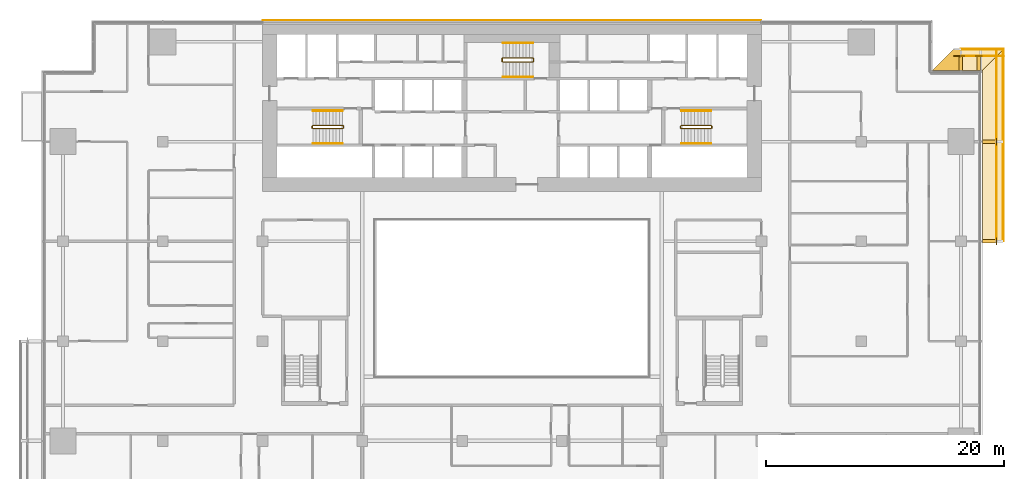
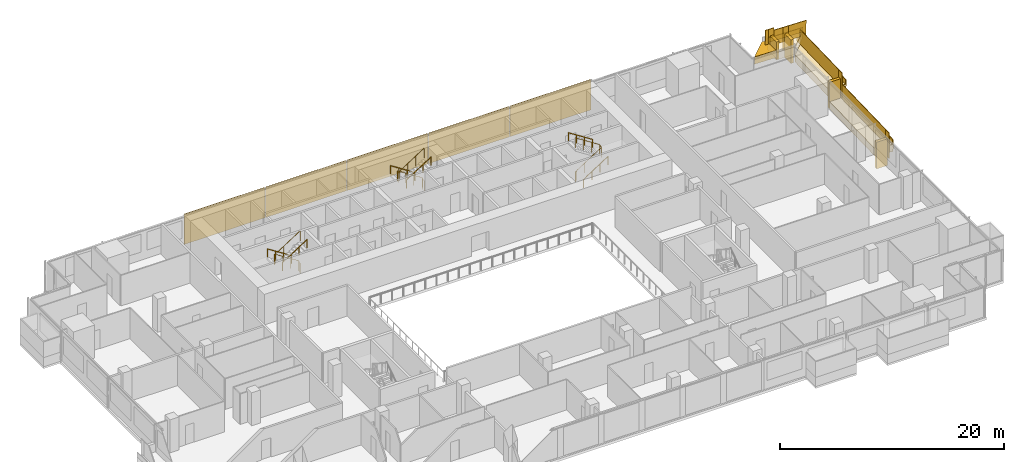
# One storey, part 27 of 29: 17 railings, 16 coverings.
"""IFC4 building model written with IfcOpenShell, lengths in metres."""

from ifc_helpers import new_model, si_unit, direction, frame, origin, origin_2d, place, context, subcontext, project, spatial, polyline, rectangle, circle, outline, extrude, material, layer, layer_set, type_object, element, save


model = new_model("IFC4")

# Units and contexts
model_context = context("Model", 3, precision=1e-05, world=origin(), true_north=direction((0.0, 1.0)))
body_context = subcontext(model_context, "Body", "Model", "MODEL_VIEW")
ifc_project = project(units=[si_unit("LENGTHUNIT", "METRE"), si_unit("AREAUNIT", "SQUARE_METRE"), si_unit("VOLUMEUNIT", "CUBIC_METRE"), si_unit("PLANEANGLEUNIT", "RADIAN"), si_unit("MASSUNIT", "GRAM", prefix="KILO")], contexts=[model_context])

# Site, building, storey
site_placement = place(None, origin())
site = spatial("IfcSite", under=ifc_project, at=site_placement, CompositionType="ELEMENT")
building_placement = place(site_placement, origin())
building = spatial("IfcBuilding", under=site, at=building_placement, Name="Saffron Gate Tower", CompositionType="ELEMENT")
storey_placement = place(building_placement, frame((0.0, 0.0, 55.199951171875)))
storey = spatial("IfcBuildingStorey", under=building, at=storey_placement, Name="L12", CompositionType="ELEMENT", Elevation=55.199951171875)

# Coverings
ifc_material_1 = material(Name="Ceramic-printed bronze insulated panel")
ifc_layer_1 = layer(ifc_material_1, 0.0400390625)
ifc_layer_set_1 = layer_set([ifc_layer_1], Name="CLD1 ceramic-printed cladding panel 40")
covering_type_1 = type_object("IfcCoveringType", Name="CLD1 ceramic-printed cladding panel 40", PredefinedType="CLADDING", material=ifc_layer_set_1)
covering_1_placement = place(storey_placement, origin())
element("IfcCovering", 1, at=covering_1_placement, inside=storey, type_object=covering_type_1, Name="CLADDING ceramic-printed panel", PredefinedType="CLADDING", context=body_context, shape_type="SweptSolid", body=[
    extrude(outline(polyline([(108.56494140625, 75.639892578125), (100.235107421875, 75.639892578125), (100.235107421875, 75.60009765625), (108.56494140625, 75.60009765625), (108.56494140625, 75.639892578125)])), origin(), (0.0, 0.0, 1.0), 3.320068359375),
])
covering_2_placement = place(storey_placement, origin())
element("IfcCovering", 2, at=covering_2_placement, inside=storey, type_object=covering_type_1, Name="CLADDING ceramic-printed panel", PredefinedType="CLADDING", context=body_context, shape_type="SweptSolid", body=[
    extrude(outline(polyline([(100.1650390625, 75.639892578125), (91.8349609375, 75.639892578125), (91.8349609375, 75.60009765625), (100.1650390625, 75.60009765625), (100.1650390625, 75.639892578125)])), origin(), (0.0, 0.0, 1.0), 3.320068359375),
])
covering_3_placement = place(storey_placement, origin())
element("IfcCovering", 3, at=covering_3_placement, inside=storey, type_object=covering_type_1, Name="CLADDING ceramic-printed panel", PredefinedType="CLADDING", context=body_context, shape_type="SweptSolid", body=[
    extrude(outline(polyline([(91.764892578125, 75.639892578125), (83.43505859375, 75.639892578125), (83.43505859375, 75.60009765625), (91.764892578125, 75.60009765625), (91.764892578125, 75.639892578125)])), origin(), (0.0, 0.0, 1.0), 3.320068359375),
])
covering_4_placement = place(storey_placement, origin())
element("IfcCovering", 4, at=covering_4_placement, inside=storey, type_object=covering_type_1, Name="CLADDING ceramic-printed panel", PredefinedType="CLADDING", context=body_context, shape_type="SweptSolid", body=[
    extrude(outline(polyline([(83.364990234375, 75.639892578125), (75.034912109375, 75.639892578125), (75.034912109375, 75.60009765625), (83.364990234375, 75.60009765625), (83.364990234375, 75.639892578125)])), origin(), (0.0, 0.0, 1.0), 3.320068359375),
])
covering_5_placement = place(storey_placement, origin())
element("IfcCovering", 5, at=covering_5_placement, inside=storey, type_object=covering_type_1, Name="CLADDING ceramic-printed panel", PredefinedType="CLADDING", context=body_context, shape_type="SweptSolid", body=[
    extrude(outline(polyline([(74.965087890625, 75.639892578125), (66.635009765625, 75.639892578125), (66.635009765625, 75.60009765625), (74.965087890625, 75.60009765625), (74.965087890625, 75.639892578125)])), origin(), (0.0, 0.0, 1.0), 3.320068359375),
])

# Railings
ifc_material_2 = material(Name="Stainless steel and laminated glass", Category="steel")
railing_type_1 = type_object("IfcRailingType", Name="CR1 Stair guard 1100", PredefinedType="GUARDRAIL", material=ifc_material_2)
railing_1_placement = place(storey_placement, frame((73.39990234375, 66.550048828125, 0.0)))
element("IfcRailing", 6, at=railing_1_placement, inside=storey, type_object=railing_type_1, Name="L12 ST-A stair guard 1", PredefinedType="GUARDRAIL", context=body_context, shape_type="SweptSolid", body=[
    extrude(circle(Radius=0.02392578125, at=origin_2d()), frame((0.0, 0.0, 1.076171875), z_axis=(0.0, 1.0, 0.0), x_axis=(-1.0, 0.0, 0.0)), (0.0, 0.0, 1.0), 0.14990234375),
    extrude(circle(Radius=0.02392578125, at=origin_2d()), frame((0.0, 0.14990234375, 1.076171875), z_axis=(-0.257669022063, 0.258932105505, 0.930892496375), x_axis=(-0.708833529934, -0.705375805398, 0.0)), (0.0, 0.0, 1.0), 0.193359375),
    extrude(circle(Radius=0.02392578125, at=origin_2d()), frame((-0.0498046875, 0.199951171875, 1.255859375), z_axis=(-0.841162588446, 0.0, 0.540782303519), x_axis=(0.0, -1.0, 0.0)), (0.0, 0.0, 1.0), 2.995849609375),
    extrude(circle(Radius=0.02392578125, at=origin_2d()), frame((-2.56982421875, 0.199951171875, 2.8759765625), z_axis=(-0.707106781187, -0.707106781187, 0.0), x_axis=(0.707106781187, -0.707106781187, 0.0)), (0.0, 0.0, 1.0), 0.07080078125),
    extrude(circle(Radius=0.02392578125, at=origin_2d()), frame((-2.619873046875, 0.14990234375, 2.8759765625), z_axis=(0.0, -1.0, 0.0), x_axis=(1.0, 0.0, 0.0)), (0.0, 0.0, 1.0), 0.14990234375),
    extrude(circle(Radius=0.02392578125, at=origin_2d()), frame((-2.619873046875, 0.0, 2.8759765625), z_axis=(0.258847668887, -0.258847668887, 0.930588936439), x_axis=(0.707106781187, 0.707106781187, 0.0)), (0.0, 0.0, 1.0), 0.193359375),
    extrude(circle(Radius=0.02392578125, at=origin_2d()), frame((-2.56982421875, -0.050048828125, 3.05615234375), z_axis=(0.841162588446, 0.0, 0.540782303519), x_axis=(0.0, 1.0, 0.0)), (0.0, 0.0, 1.0), 2.995849609375),
    extrude(circle(Radius=0.02099609375, at=origin_2d()), origin(), (0.0, 0.0, 1.0), 1.052001953125),
    extrude(circle(Radius=0.02099609375, at=origin_2d()), frame((0.0, 0.14990234375, 0.0)), (0.0, 0.0, 1.0), 1.052001953125),
    extrude(circle(Radius=0.02099609375, at=origin_2d()), frame((-0.0498046875, 0.199951171875, 0.179931640625)), (0.0, 0.0, 1.0), 1.052001953125),
    extrude(circle(Radius=0.02099609375, at=origin_2d()), frame((-0.889892578125, 0.199951171875, 0.719970703125)), (0.0, 0.0, 1.0), 1.052001953125),
    extrude(circle(Radius=0.02099609375, at=origin_2d()), frame((-1.729736328125, 0.199951171875, 1.260009765625)), (0.0, 0.0, 1.0), 1.052001953125),
    extrude(circle(Radius=0.02099609375, at=origin_2d()), frame((-2.56982421875, 0.199951171875, 1.800048828125)), (0.0, 0.0, 1.0), 1.052001953125),
    extrude(circle(Radius=0.02099609375, at=origin_2d()), frame((-2.619873046875, 0.14990234375, 1.800048828125)), (0.0, 0.0, 1.0), 1.052001953125),
    extrude(circle(Radius=0.02099609375, at=origin_2d()), frame((-2.619873046875, 0.0, 1.800048828125)), (0.0, 0.0, 1.0), 1.052001953125),
    extrude(circle(Radius=0.02099609375, at=origin_2d()), frame((-2.56982421875, -0.050048828125, 1.97998046875)), (0.0, 0.0, 1.0), 1.052001953125),
    extrude(circle(Radius=0.02099609375, at=origin_2d()), frame((-1.729736328125, -0.050048828125, 2.52001953125)), (0.0, 0.0, 1.0), 1.052001953125),
    extrude(circle(Radius=0.02099609375, at=origin_2d()), frame((-0.889892578125, -0.050048828125, 3.06005859375)), (0.0, 0.0, 1.0), 1.052001953125),
    extrude(circle(Radius=0.02099609375, at=origin_2d()), frame((-0.0498046875, -0.050048828125, 3.60009765625)), (0.0, 0.0, 1.0), 1.052001953125),
])
railing_2_placement = place(storey_placement, frame((101.800048828125, 66.699951171875, 0.0)))
element("IfcRailing", 7, at=railing_2_placement, inside=storey, type_object=railing_type_1, Name="L12 ST-B stair guard 1", PredefinedType="GUARDRAIL", context=body_context, shape_type="SweptSolid", body=[
    extrude(circle(Radius=0.02392578125, at=origin_2d()), frame((0.0, 0.0, 1.076171875), z_axis=(0.0, -1.0, 0.0), x_axis=(1.0, 0.0, 0.0)), (0.0, 0.0, 1.0), 0.14990234375),
    extrude(circle(Radius=0.02392578125, at=origin_2d()), frame((0.0, -0.14990234375, 1.076171875), z_axis=(0.258847668887, -0.258847668887, 0.930588936439), x_axis=(0.707106781187, 0.707106781187, 0.0)), (0.0, 0.0, 1.0), 0.193359375),
    extrude(circle(Radius=0.02392578125, at=origin_2d()), frame((0.050048828125, -0.199951171875, 1.255859375), z_axis=(0.841162588446, 0.0, 0.540782303519), x_axis=(0.0, 1.0, 0.0)), (0.0, 0.0, 1.0), 2.995849609375),
    extrude(circle(Radius=0.02392578125, at=origin_2d()), frame((2.570068359375, -0.199951171875, 2.8759765625), z_axis=(0.705375805398, 0.708833529934, 0.0), x_axis=(-0.708833529934, 0.705375805398, 0.0)), (0.0, 0.0, 1.0), 0.070556640625),
    extrude(circle(Radius=0.02392578125, at=origin_2d()), frame((2.619873046875, -0.14990234375, 2.8759765625), z_axis=(0.0, 1.0, 0.0), x_axis=(-1.0, 0.0, 0.0)), (0.0, 0.0, 1.0), 0.14990234375),
    extrude(circle(Radius=0.02392578125, at=origin_2d()), frame((2.619873046875, 0.0, 2.8759765625), z_axis=(-0.257669022063, 0.258932105505, 0.930892496375), x_axis=(-0.708833529934, -0.705375805398, 0.0)), (0.0, 0.0, 1.0), 0.193359375),
    extrude(circle(Radius=0.02392578125, at=origin_2d()), frame((2.570068359375, 0.050048828125, 3.05615234375), z_axis=(-0.841162588446, 0.0, 0.540782303519), x_axis=(0.0, -1.0, 0.0)), (0.0, 0.0, 1.0), 2.995849609375),
    extrude(circle(Radius=0.02099609375, at=origin_2d()), origin(), (0.0, 0.0, 1.0), 1.052001953125),
    extrude(circle(Radius=0.02099609375, at=origin_2d()), frame((0.0, -0.14990234375, 0.0)), (0.0, 0.0, 1.0), 1.052001953125),
    extrude(circle(Radius=0.02099609375, at=origin_2d()), frame((0.050048828125, -0.199951171875, 0.179931640625)), (0.0, 0.0, 1.0), 1.052001953125),
    extrude(circle(Radius=0.02099609375, at=origin_2d()), frame((0.89013671875, -0.199951171875, 0.719970703125)), (0.0, 0.0, 1.0), 1.052001953125),
    extrude(circle(Radius=0.02099609375, at=origin_2d()), frame((1.72998046875, -0.199951171875, 1.260009765625)), (0.0, 0.0, 1.0), 1.052001953125),
    extrude(circle(Radius=0.02099609375, at=origin_2d()), frame((2.570068359375, -0.199951171875, 1.800048828125)), (0.0, 0.0, 1.0), 1.052001953125),
    extrude(circle(Radius=0.02099609375, at=origin_2d()), frame((2.619873046875, -0.14990234375, 1.800048828125)), (0.0, 0.0, 1.0), 1.052001953125),
    extrude(circle(Radius=0.02099609375, at=origin_2d()), frame((2.619873046875, 0.0, 1.800048828125)), (0.0, 0.0, 1.0), 1.052001953125),
    extrude(circle(Radius=0.02099609375, at=origin_2d()), frame((2.570068359375, 0.050048828125, 1.97998046875)), (0.0, 0.0, 1.0), 1.052001953125),
    extrude(circle(Radius=0.02099609375, at=origin_2d()), frame((1.72998046875, 0.050048828125, 2.52001953125)), (0.0, 0.0, 1.0), 1.052001953125),
    extrude(circle(Radius=0.02099609375, at=origin_2d()), frame((0.89013671875, 0.050048828125, 3.06005859375)), (0.0, 0.0, 1.0), 1.052001953125),
    extrude(circle(Radius=0.02099609375, at=origin_2d()), frame((0.050048828125, 0.050048828125, 3.60009765625)), (0.0, 0.0, 1.0), 1.052001953125),
])
railing_3_placement = place(storey_placement, frame((89.39990234375, 72.14990234375, 0.0)))
element("IfcRailing", 8, at=railing_3_placement, inside=storey, type_object=railing_type_1, Name="L12 ST-C stair guard 1", PredefinedType="GUARDRAIL", context=body_context, shape_type="SweptSolid", body=[
    extrude(circle(Radius=0.02392578125, at=origin_2d()), frame((0.0, 0.0, 1.076171875), z_axis=(0.0, 1.0, 0.0), x_axis=(-1.0, 0.0, 0.0)), (0.0, 0.0, 1.0), 0.25),
    extrude(circle(Radius=0.02392578125, at=origin_2d()), frame((0.0, 0.25, 1.076171875), z_axis=(-0.257669022063, 0.258932105505, 0.930892496375), x_axis=(-0.708833529934, -0.705375805398, 0.0)), (0.0, 0.0, 1.0), 0.193359375),
    extrude(circle(Radius=0.02392578125, at=origin_2d()), frame((-0.0498046875, 0.300048828125, 1.255859375), z_axis=(-0.841162588446, 0.0, 0.540782303519), x_axis=(0.0, -1.0, 0.0)), (0.0, 0.0, 1.0), 2.995849609375),
    extrude(circle(Radius=0.02392578125, at=origin_2d()), frame((-2.56982421875, 0.300048828125, 2.8759765625), z_axis=(-0.707106781187, -0.707106781187, 0.0), x_axis=(0.707106781187, -0.707106781187, 0.0)), (0.0, 0.0, 1.0), 0.07080078125),
    extrude(circle(Radius=0.02392578125, at=origin_2d()), frame((-2.619873046875, 0.25, 2.8759765625), z_axis=(0.0, -1.0, 0.0), x_axis=(1.0, 0.0, 0.0)), (0.0, 0.0, 1.0), 0.25),
    extrude(circle(Radius=0.02392578125, at=origin_2d()), frame((-2.619873046875, 0.0, 2.8759765625), z_axis=(0.258932105505, -0.257669022063, 0.930892496375), x_axis=(0.705375805398, 0.708833529934, 0.0)), (0.0, 0.0, 1.0), 0.193359375),
    extrude(circle(Radius=0.02392578125, at=origin_2d()), frame((-2.56982421875, -0.0498046875, 3.05615234375), z_axis=(0.841162588446, 0.0, 0.540782303519), x_axis=(0.0, 1.0, 0.0)), (0.0, 0.0, 1.0), 2.995849609375),
    extrude(circle(Radius=0.02099609375, at=origin_2d()), origin(), (0.0, 0.0, 1.0), 1.052001953125),
    extrude(circle(Radius=0.02099609375, at=origin_2d()), frame((0.0, 0.25, 0.0)), (0.0, 0.0, 1.0), 1.052001953125),
    extrude(circle(Radius=0.02099609375, at=origin_2d()), frame((-0.0498046875, 0.300048828125, 0.179931640625)), (0.0, 0.0, 1.0), 1.052001953125),
    extrude(circle(Radius=0.02099609375, at=origin_2d()), frame((-0.889892578125, 0.300048828125, 0.719970703125)), (0.0, 0.0, 1.0), 1.052001953125),
    extrude(circle(Radius=0.02099609375, at=origin_2d()), frame((-1.729736328125, 0.300048828125, 1.260009765625)), (0.0, 0.0, 1.0), 1.052001953125),
    extrude(circle(Radius=0.02099609375, at=origin_2d()), frame((-2.56982421875, 0.300048828125, 1.800048828125)), (0.0, 0.0, 1.0), 1.052001953125),
    extrude(circle(Radius=0.02099609375, at=origin_2d()), frame((-2.619873046875, 0.25, 1.800048828125)), (0.0, 0.0, 1.0), 1.052001953125),
    extrude(circle(Radius=0.02099609375, at=origin_2d()), frame((-2.619873046875, 0.0, 1.800048828125)), (0.0, 0.0, 1.0), 1.052001953125),
    extrude(circle(Radius=0.02099609375, at=origin_2d()), frame((-2.56982421875, -0.0498046875, 1.97998046875)), (0.0, 0.0, 1.0), 1.052001953125),
    extrude(circle(Radius=0.02099609375, at=origin_2d()), frame((-1.729736328125, -0.0498046875, 2.52001953125)), (0.0, 0.0, 1.0), 1.052001953125),
    extrude(circle(Radius=0.02099609375, at=origin_2d()), frame((-0.889892578125, -0.0498046875, 3.06005859375)), (0.0, 0.0, 1.0), 1.052001953125),
    extrude(circle(Radius=0.02099609375, at=origin_2d()), frame((-0.0498046875, -0.0498046875, 3.60009765625)), (0.0, 0.0, 1.0), 1.052001953125),
])
ifc_material_3 = material(Name="Stainless steel", Category="steel")
railing_type_2 = type_object("IfcRailingType", Name="CR2 Stair handrail 900", PredefinedType="HANDRAIL", material=ifc_material_3)
railing_4_placement = place(storey_placement, frame((73.35009765625, 68.0, 0.179931640625)))
element("IfcRailing", 9, at=railing_4_placement, inside=storey, type_object=railing_type_2, Name="L12 ST-A stair handrail 1", PredefinedType="HANDRAIL", context=body_context, shape_type="SweptSolid", body=[
    extrude(circle(Radius=0.02392578125, at=origin_2d()), frame((0.0, 0.0, 0.8759765625), z_axis=(-0.841162588446, 0.0, 0.540782303519), x_axis=(0.0, -1.0, 0.0)), (0.0, 0.0, 1.0), 2.995849609375),
    extrude(circle(Radius=0.02099609375, at=origin_2d()), origin(), (0.0, 0.0, 1.0), 0.851806640625),
    extrude(circle(Radius=0.02099609375, at=origin_2d()), frame((-0.840087890625, 0.0, 0.5400390625)), (0.0, 0.0, 1.0), 0.851806640625),
    extrude(circle(Radius=0.02099609375, at=origin_2d()), frame((-1.679931640625, 0.0, 1.080078125)), (0.0, 0.0, 1.0), 0.851806640625),
    extrude(circle(Radius=0.02099609375, at=origin_2d()), frame((-2.52001953125, 0.0, 1.6201171875)), (0.0, 0.0, 1.0), 0.851806640625),
])
for number, where, name in (
    (10, (70.830078125, 65.25, 1.97998046875), "L12 ST-A stair handrail 2"),
    (11, (101.85009765625, 65.25, 0.179931640625), "L12 ST-B stair handrail 1"),
):
    element("IfcRailing", number, at=place(storey_placement, frame(where)), inside=storey, type_object=railing_type_2, Name=name, PredefinedType="HANDRAIL", context=body_context, shape_type="SweptSolid", body=[
        extrude(circle(Radius=0.02392578125, at=origin_2d()), frame((0.0, 0.0, 0.8759765625), z_axis=(0.841162588446, 0.0, 0.540782303519), x_axis=(0.0, 1.0, 0.0)), (0.0, 0.0, 1.0), 2.995849609375),
        extrude(circle(Radius=0.02099609375, at=origin_2d()), origin(), (0.0, 0.0, 1.0), 0.851806640625),
        extrude(circle(Radius=0.02099609375, at=origin_2d()), frame((0.840087890625, 0.0, 0.5400390625)), (0.0, 0.0, 1.0), 0.851806640625),
        extrude(circle(Radius=0.02099609375, at=origin_2d()), frame((1.679931640625, 0.0, 1.080078125)), (0.0, 0.0, 1.0), 0.851806640625),
        extrude(circle(Radius=0.02099609375, at=origin_2d()), frame((2.52001953125, 0.0, 1.6201171875)), (0.0, 0.0, 1.0), 0.851806640625),
    ])
for number, where, name in (
    (12, (104.3701171875, 68.0, 1.97998046875), "L12 ST-B stair handrail 2"),
    (13, (89.35009765625, 73.699951171875, 0.179931640625), "L12 ST-C stair handrail 1"),
):
    element("IfcRailing", number, at=place(storey_placement, frame(where)), inside=storey, type_object=railing_type_2, Name=name, PredefinedType="HANDRAIL", context=body_context, shape_type="SweptSolid", body=[
        extrude(circle(Radius=0.02392578125, at=origin_2d()), frame((0.0, 0.0, 0.8759765625), z_axis=(-0.841162588446, 0.0, 0.540782303519), x_axis=(0.0, -1.0, 0.0)), (0.0, 0.0, 1.0), 2.995849609375),
        extrude(circle(Radius=0.02099609375, at=origin_2d()), origin(), (0.0, 0.0, 1.0), 0.851806640625),
        extrude(circle(Radius=0.02099609375, at=origin_2d()), frame((-0.840087890625, 0.0, 0.5400390625)), (0.0, 0.0, 1.0), 0.851806640625),
        extrude(circle(Radius=0.02099609375, at=origin_2d()), frame((-1.679931640625, 0.0, 1.080078125)), (0.0, 0.0, 1.0), 0.851806640625),
        extrude(circle(Radius=0.02099609375, at=origin_2d()), frame((-2.52001953125, 0.0, 1.6201171875)), (0.0, 0.0, 1.0), 0.851806640625),
    ])
railing_5_placement = place(storey_placement, frame((86.830078125, 70.85009765625, 1.97998046875)))
element("IfcRailing", 14, at=railing_5_placement, inside=storey, type_object=railing_type_2, Name="L12 ST-C stair handrail 2", PredefinedType="HANDRAIL", context=body_context, shape_type="SweptSolid", body=[
    extrude(circle(Radius=0.02392578125, at=origin_2d()), frame((0.0, 0.0, 0.8759765625), z_axis=(0.841162588446, 0.0, 0.540782303519), x_axis=(0.0, 1.0, 0.0)), (0.0, 0.0, 1.0), 2.995849609375),
    extrude(circle(Radius=0.02099609375, at=origin_2d()), origin(), (0.0, 0.0, 1.0), 0.851806640625),
    extrude(circle(Radius=0.02099609375, at=origin_2d()), frame((0.840087890625, 0.0, 0.5400390625)), (0.0, 0.0, 1.0), 0.851806640625),
    extrude(circle(Radius=0.02099609375, at=origin_2d()), frame((1.679931640625, 0.0, 1.080078125)), (0.0, 0.0, 1.0), 0.851806640625),
    extrude(circle(Radius=0.02099609375, at=origin_2d()), frame((2.52001953125, 0.0, 1.6201171875)), (0.0, 0.0, 1.0), 0.851806640625),
])

# Coverings
ifc_material_4 = material(Name="Timber, thermally modified ash", Category="wood")
ifc_layer_2 = layer(ifc_material_4, 0.800048828125)
ifc_layer_set_2 = layer_set([ifc_layer_2], Name="LD1 ledge timber")
covering_type_2 = type_object("IfcCoveringType", Name="LD1 ledge timber", PredefinedType="CLADDING", material=ifc_layer_set_2)
covering_6_placement = place(storey_placement, frame((127.199951171875, 57.0, 0.4140625), z_axis=(0.0, -0.028791175352, 0.999585448184), x_axis=(0.0, 0.999585448184, 0.028791175352)))
element("IfcCovering", 15, at=covering_6_placement, inside=storey, type_object=covering_type_2, Name="LEDGE", PredefinedType="CLADDING", context=body_context, shape_type="SweptSolid", body=[
    extrude(outline(polyline([(0.0, 0.0), (8.403385982666892, 0.0), (8.403385982666892, -1.800048828125), (0.0, -1.800048828125), (0.0, 0.0)])), origin(), (0.0, 0.0, -1.0), 0.800048828125),
])
covering_7_placement = place(storey_placement, frame((127.199951171875, 65.39990234375, 1.8564453125), z_axis=(2.391759e-05, -0.028789477025, 0.999585496814), x_axis=(-1.72e-10, 0.9995854971, 0.028789477033)))
element("IfcCovering", 16, at=covering_7_placement, inside=storey, type_object=covering_type_2, Name="LEDGE", PredefinedType="CLADDING", context=body_context, shape_type="SweptSolid", body=[
    extrude(outline(polyline([(0.0, 0.0), (6.002489288687248, 8.470329472543003e-22), (7.80328207139786, -1.8000488299785034), (-3.0879623774719253e-10, -1.8000488276101398), (0.0, 0.0)])), origin(), (0.0, 0.0, -1.0), 0.800048828125),
])
covering_8_placement = place(storey_placement, frame((127.199951171875, 71.39990234375, 2.88671875), z_axis=(0.028741681402, 0.0, 0.999586872538), x_axis=(-0.999586872538, 0.0, 0.028741681402)))
element("IfcCovering", 17, at=covering_8_placement, inside=storey, type_object=covering_type_2, Name="LEDGE", PredefinedType="CLADDING", context=body_context, shape_type="SweptSolid", body=[
    extrude(outline(polyline([(0.0, 0.0), (1.8007927850779974, 0.0), (1.8007927850779974, -1.800048828125), (-1.8007927850779974, -1.800048828125), (0.0, 0.0)])), origin(), (0.0, 0.0, -1.0), 0.800048828125),
])
covering_9_placement = place(storey_placement, frame((125.39990234375, 71.39990234375, 3.19580078125), z_axis=(0.028798988267, -2.8677152e-05, 0.999585222706), x_axis=(-0.999585223117, -6.17e-10, 0.028798988279)))
element("IfcCovering", 18, at=covering_9_placement, inside=storey, type_object=covering_type_2, Name="LEDGE", PredefinedType="CLADDING", context=body_context, shape_type="SweptSolid", body=[
    extrude(outline(polyline([(0.0, 0.0), (2.400896693585025, 4.235164736271502e-22), (0.6001039103565923, -1.8000488292351675), (-1.1098572600196767e-09, -1.8000488273848385), (0.0, 0.0)])), origin(), (0.0, 0.0, -1.0), 0.800048828125),
])
ifc_layer_3 = layer(ifc_material_4, 0.080078125)
ifc_layer_set_3 = layer_set([ifc_layer_3], Name="LD2 ledge planter trough")
covering_type_3 = type_object("IfcCoveringType", Name="LD2 ledge planter trough", PredefinedType="CLADDING", material=ifc_layer_set_3)
covering_10_placement = place(storey_placement, frame((129.0, 57.0, 0.4140625), z_axis=(1.0, 0.0, 0.0), x_axis=(0.0, 0.999585448184, 0.028791175352)))
element("IfcCovering", 19, at=covering_10_placement, inside=storey, type_object=covering_type_3, Name="LEDGE planter trough", PredefinedType="CLADDING", context=body_context, shape_type="SweptSolid", body=[
    extrude(outline(polyline([(0.0, 0.0), (8.403385982666892, 0.0), (8.417781570342743, 0.49979272409216496), (0.014395587675851172, 0.4997927240921649), (0.0, 0.0)])), origin(), (0.0, 0.0, -1.0), 0.080078125),
])
covering_11_placement = place(storey_placement, frame((129.0, 65.39990234375, 1.8564453125), z_axis=(1.0, 0.0, 0.0), x_axis=(0.0, 0.999585655924, 0.028783962047)))
element("IfcCovering", 20, at=covering_11_placement, inside=storey, type_object=covering_type_3, Name="LEDGE planter trough", PredefinedType="CLADDING", context=body_context, shape_type="SweptSolid", body=[
    extrude(outline(polyline([(0.0, 0.0), (7.803282071825423, 2.7755575615628914e-17), (7.817674052849086, 0.4997928279619612), (0.014391981023662846, 0.4997928279619612), (0.0, 0.0)])), origin(), (0.0, 0.0, -1.0), 0.080078125),
])
covering_12_placement = place(storey_placement, frame((129.0, 73.199951171875, 2.8349609375), z_axis=(0.0, 1.0, 0.0), x_axis=(-0.999586872538, 0.0, 0.028741681402)))
element("IfcCovering", 21, at=covering_12_placement, inside=storey, type_object=covering_type_3, Name="LEDGE planter trough", PredefinedType="CLADDING", context=body_context, shape_type="SweptSolid", body=[
    extrude(outline(polyline([(0.0, 0.0), (3.601585570155995, 0.0), (3.6159564108570694, 0.49979343626896944), (0.014370840701074394, 0.4997934362689694), (0.0, 0.0)])), origin(), (0.0, 0.0, -1.0), 0.080078125),
])
ifc_layer_4 = layer(ifc_material_4, 0.300048828125)
ifc_layer_set_4 = layer_set([ifc_layer_4], Name="LD3 ledge riser fin")
covering_type_4 = type_object("IfcCoveringType", Name="LD3 ledge riser fin", PredefinedType="CLADDING", material=ifc_layer_set_4)
for number, where, z_axis, x_axis, name in (
    (22, (127.760009765625, 57.0, -1.586181640625), (0.0, 0.0, 1.0), (0.0, 1.0, 0.0), "LEDGE riser fin"),
    (23, (127.760009765625, 65.39990234375, -0.143798828125), (0.0, 0.0, 1.0), (0.0, 1.0, 0.0), "LEDGE riser fin"),
):
    element("IfcCovering", number, at=place(storey_placement, frame(where, z_axis=z_axis, x_axis=x_axis)), inside=storey, type_object=covering_type_4, Name=name, PredefinedType="CLADDING", context=body_context, shape_type="SweptSolid", body=[
        extrude(rectangle(XDim=0.300048828125, YDim=1.1201171875, at=origin_2d()), origin(), (0.0, 0.0, 1.0), 2.900390625),
    ])
covering_13_placement = place(storey_placement, frame((126.89990234375, 71.9599609375, 1.2294921875), z_axis=(0.0, 0.0, 1.0), x_axis=(-1.0, 0.0, 0.0)))
element("IfcCovering", 24, at=covering_13_placement, inside=storey, type_object=covering_type_4, Name="LEDGE riser fin", PredefinedType="CLADDING", context=body_context, shape_type="SweptSolid", body=[
    extrude(rectangle(XDim=0.300048828125, YDim=1.1201171875, at=origin_2d()), origin(), (0.0, 0.0, 1.0), 2.557373046875),
])
covering_14_placement = place(storey_placement, frame((125.39990234375, 71.9599609375, 2.138671875), z_axis=(0.0, 0.0, 1.0), x_axis=(-1.0, 0.0, 0.0)))
element("IfcCovering", 25, at=covering_14_placement, inside=storey, type_object=covering_type_4, Name="LEDGE riser fin", PredefinedType="CLADDING", context=body_context, shape_type="SweptSolid", body=[
    extrude(rectangle(XDim=0.300048828125, YDim=1.1201171875, at=origin_2d()), origin(), (0.0, 0.0, 1.0), 1.957275390625),
])

# Railings
railing_type_3 = type_object("IfcRailingType", Name="LG1 ledge balustrade", PredefinedType="BALUSTRADE", material=ifc_material_4)
railing_6_placement = place(storey_placement, frame((128.39990234375, 57.0, 0.4140625)))
element("IfcRailing", 26, at=railing_6_placement, inside=storey, type_object=railing_type_3, Name="LEDGE BALUSTRADE", PredefinedType="BALUSTRADE", context=body_context, shape_type="SweptSolid", body=[
    extrude(rectangle(XDim=0.06005859375, YDim=1.60009765625, at=origin_2d()), frame((0.0, 0.0, 0.800048828125), z_axis=(0.0, 0.999585448184, 0.028791175352), x_axis=(-1.0, 0.0, 0.0)), (0.0, 0.0, 1.0), 8.4033203125),
])
railing_7_placement = place(storey_placement, frame((128.39990234375, 56.699951171875, -0.7861328125)))
element("IfcRailing", 27, at=railing_7_placement, inside=storey, type_object=railing_type_3, Name="LEDGE BALUSTRADE", PredefinedType="BALUSTRADE", context=body_context, shape_type="SweptSolid", body=[
    extrude(rectangle(XDim=0.06005859375, YDim=2.80029296875, at=origin_2d()), frame((0.0, 0.0, 1.400146484375), z_axis=(0.0, 1.0, 0.0), x_axis=(-1.0, 0.0, 0.0)), (0.0, 0.0, 1.0), 0.60009765625),
])
railing_8_placement = place(storey_placement, frame((128.39990234375, 65.39990234375, 1.8564453125)))
element("IfcRailing", 28, at=railing_8_placement, inside=storey, type_object=railing_type_3, Name="LEDGE BALUSTRADE", PredefinedType="BALUSTRADE", context=body_context, shape_type="SweptSolid", body=[
    extrude(rectangle(XDim=0.06005859375, YDim=1.60009765625, at=origin_2d()), frame((0.0, 0.0, 0.800048828125), z_axis=(0.0, 0.999585655924, 0.028783962047), x_axis=(-1.0, 0.0, 0.0)), (0.0, 0.0, 1.0), 7.80322265625),
])
railing_9_placement = place(storey_placement, frame((128.39990234375, 65.10009765625, 0.656005859375)))
element("IfcRailing", 29, at=railing_9_placement, inside=storey, type_object=railing_type_3, Name="LEDGE BALUSTRADE", PredefinedType="BALUSTRADE", context=body_context, shape_type="SweptSolid", body=[
    extrude(rectangle(XDim=0.06005859375, YDim=2.80029296875, at=origin_2d()), frame((0.0, 0.0, 1.400146484375), z_axis=(0.0, 1.0, 0.0), x_axis=(-1.0, 0.0, 0.0)), (0.0, 0.0, 1.0), 0.599853515625),
])
railing_10_placement = place(storey_placement, frame((129.0, 72.60009765625, 2.8349609375)))
element("IfcRailing", 30, at=railing_10_placement, inside=storey, type_object=railing_type_3, Name="LEDGE BALUSTRADE", PredefinedType="BALUSTRADE", context=body_context, shape_type="SweptSolid", body=[
    extrude(rectangle(XDim=0.06005859375, YDim=1.60009765625, at=origin_2d()), frame((0.0, 0.0, 0.800048828125), z_axis=(-0.999586872538, 0.0, 0.028741681402), x_axis=(0.0, -1.0, 0.0)), (0.0, 0.0, 1.0), 3.6015625),
])
railing_11_placement = place(storey_placement, frame((127.199951171875, 72.60009765625, 2.029296875)))
element("IfcRailing", 31, at=railing_11_placement, inside=storey, type_object=railing_type_3, Name="LEDGE BALUSTRADE", PredefinedType="BALUSTRADE", context=body_context, shape_type="SweptSolid", body=[
    extrude(rectangle(XDim=0.06005859375, YDim=2.45751953125, at=origin_2d()), frame((0.0, 0.0, 1.228759765625), z_axis=(-1.0, 0.0, 0.0), x_axis=(0.0, -1.0, 0.0)), (0.0, 0.0, 1.0), 0.599853515625),
])
railing_12_placement = place(storey_placement, frame((125.39990234375, 72.60009765625, 3.19580078125)))
element("IfcRailing", 32, at=railing_12_placement, inside=storey, type_object=railing_type_3, Name="LEDGE BALUSTRADE", PredefinedType="BALUSTRADE", context=body_context, shape_type="SweptSolid", body=[
    extrude(rectangle(XDim=0.06005859375, YDim=1.60009765625, at=origin_2d()), frame((0.0, 0.0, 0.800048828125), z_axis=(-0.999582742162, 0.0, 0.028884971385), x_axis=(0.0, -1.0, 0.0)), (0.0, 0.0, 1.0), 0.60009765625),
])
railing_13_placement = place(storey_placement, frame((125.699951171875, 72.60009765625, 2.9384765625)))
element("IfcRailing", 33, at=railing_13_placement, inside=storey, type_object=railing_type_3, Name="LEDGE BALUSTRADE", PredefinedType="BALUSTRADE", context=body_context, shape_type="SweptSolid", body=[
    extrude(rectangle(XDim=0.06005859375, YDim=1.857177734375, at=origin_2d()), frame((0.0, 0.0, 0.9287109375), z_axis=(-1.0, 0.0, 0.0), x_axis=(0.0, -1.0, 0.0)), (0.0, 0.0, 1.0), 0.599853515625),
])

save(model, "model.ifc")
